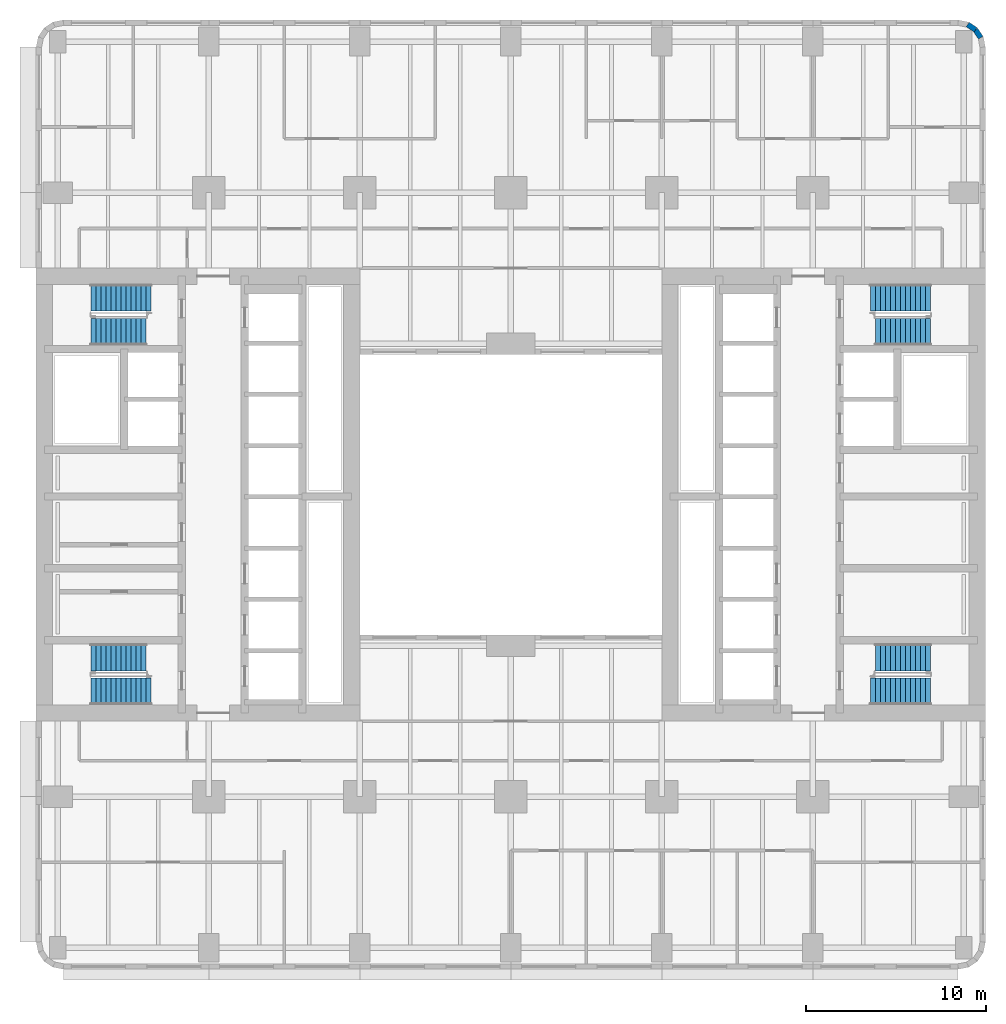
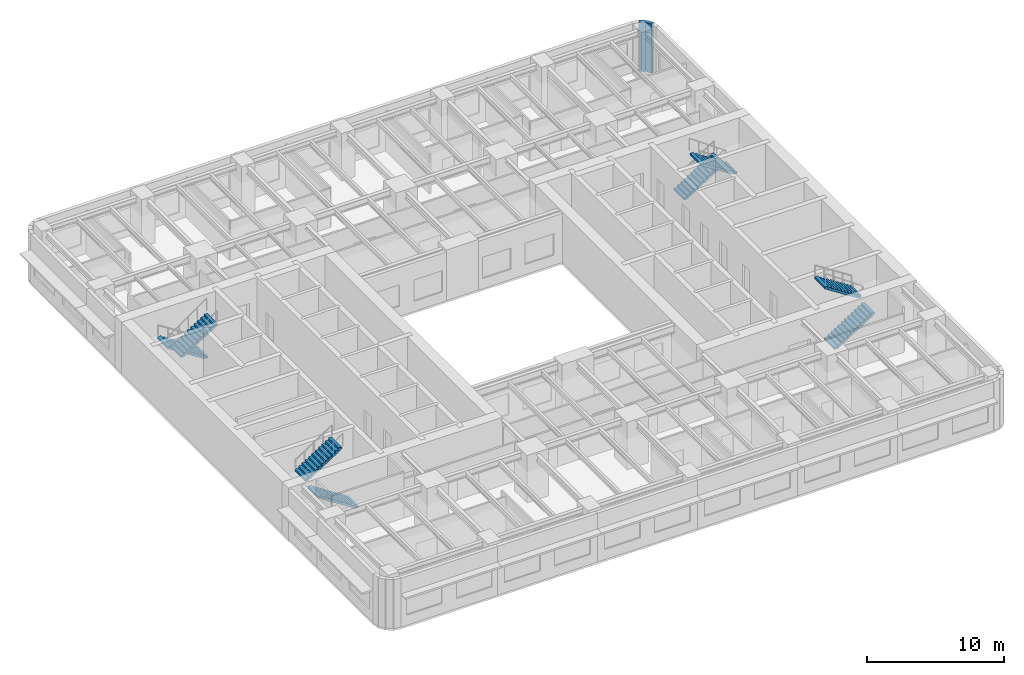
# One storey, part 8 of 14: 8 stair flights, 2 walls, 4 elements without a shape of their own.
"""IFC4 building model written with IfcOpenShell, lengths in metres."""

import ifcopenshell
import ifcopenshell.guid

model = None  # the IFC model being written
_history = None  # IfcOwnerHistory: only IFC2X3 demands one
_inside = {}  # id of a spatial element -> (the spatial element, [elements in it])
_under = {}  # id of a project, library or spatial element -> (it, [spatial elements below it])
_declared = {}  # id of a project -> (the project, [libraries it declares])
_typed = {}  # id of a type object -> (the type object, [elements of that type])
_made_of = {}  # id of a material, layer set ... -> (it, [elements and type objects made of it])


def new_model(schema):
    """Start an empty IFC model of exactly this schema.

    Asked for "IFC4X3", IfcOpenShell would pick the latest addendum, in which some entities
    have other attributes; the version numbers below select the first issue.
    IFC2X3 requires an IfcOwnerHistory on every rooted entity: one is made here for all.
    """
    global model, _history
    if schema == "IFC4X3":
        model = ifcopenshell.file(schema_version=(4, 3, 0, 0))
    else:
        model = ifcopenshell.file(schema=schema)
    _inside.clear()
    _under.clear()
    _declared.clear()
    _typed.clear()
    _made_of.clear()
    _history = None
    if model.schema == "IFC2X3":
        org = make("IfcOrganization", Name="unknown")
        user = make(
            "IfcPersonAndOrganization",
            ThePerson=make("IfcPerson", FamilyName="unknown"),
            TheOrganization=org,
        )
        app = make(
            "IfcApplication",
            ApplicationDeveloper=org,
            Version="unknown",
            ApplicationFullName="unknown",
            ApplicationIdentifier="unknown",
        )
        _history = make(
            "IfcOwnerHistory",
            OwningUser=user,
            OwningApplication=app,
            ChangeAction="ADDED",
            CreationDate=0,
        )
    return model


def make(cls, **values):
    """One entity of the class cls with the attributes given. An attribute that is None is left unset."""
    return model.create_entity(
        cls, **{name: value for name, value in values.items() if value is not None}
    )


def rooted(cls, **values):
    """An entity with a GlobalId (a new one), such as an element, a storey or a relation."""
    return make(cls, GlobalId=ifcopenshell.guid.new(), OwnerHistory=_history, **values)


def si_unit(unit_type, name, prefix=None):
    """IfcSIUnit, for example si_unit("LENGTHUNIT", "METRE", prefix="MILLI")."""
    return make("IfcSIUnit", UnitType=unit_type, Prefix=prefix, Name=name)


def assignment(units):
    """IfcUnitAssignment: the units of a project."""
    return None if units is None else make("IfcUnitAssignment", Units=units)


def point(xyz):
    """IfcCartesianPoint."""
    return None if xyz is None else make("IfcCartesianPoint", Coordinates=xyz)


def direction(xyz):
    """IfcDirection."""
    return None if xyz is None else make("IfcDirection", DirectionRatios=xyz)


def frame(location, z_axis=None, x_axis=None):
    """IfcAxis2Placement3D, a coordinate frame: its origin and axes. An axis left out is left unset."""
    return make(
        "IfcAxis2Placement3D",
        Location=point(location),
        Axis=direction(z_axis),
        RefDirection=direction(x_axis),
    )


def frame_2d(location, x_axis=None):
    """IfcAxis2Placement2D, a coordinate frame in the plane: its origin and x axis."""
    return make(
        "IfcAxis2Placement2D", Location=point(location), RefDirection=direction(x_axis)
    )


def origin():
    """The frame at (0, 0, 0) with its axes left unset."""
    return frame((0.0, 0.0, 0.0))


def place(relative_to, where):
    """IfcLocalPlacement: puts the frame where relative to a parent placement (None: the world)."""
    return make(
        "IfcLocalPlacement", PlacementRelTo=relative_to, RelativePlacement=where
    )


def context(
    kind, dimensions, precision=None, world=None, true_north=None, identifier=None
):
    """IfcGeometricRepresentationContext, for example the 3D "Model" context."""
    return make(
        "IfcGeometricRepresentationContext",
        ContextIdentifier=identifier,
        ContextType=kind,
        CoordinateSpaceDimension=dimensions,
        Precision=precision,
        WorldCoordinateSystem=world,
        TrueNorth=true_north,
    )


def subcontext(parent, identifier, kind, view, scale=None):
    """IfcGeometricRepresentationSubContext, for example "Body" below "Model"."""
    return make(
        "IfcGeometricRepresentationSubContext",
        ContextIdentifier=identifier,
        ContextType=kind,
        ParentContext=parent,
        TargetScale=scale,
        TargetView=view,
    )


def project(units=None, contexts=None):
    """IfcProject with its units and contexts."""
    return rooted(
        "IfcProject",
        Name="project",
        RepresentationContexts=contexts,
        UnitsInContext=assignment(units),
    )


def spatial(cls, under=None, at=None, **own):
    """A site, building, storey or space (cls), placed at a placement, below another one or the project."""
    s = rooted(cls, ObjectPlacement=at, **own)
    if under is not None:
        _under.setdefault(under.id(), (under, []))[1].append(s)
    return s


def polyline(points):
    """IfcPolyline through the points."""
    return make("IfcPolyline", Points=[point(p) for p in points])


def profile(cls, at=None, kind="AREA", **sizes):
    """A parametric profile (cls). Its sizes go by their IFC names, for example OverallWidth=200.0."""
    return make(cls, ProfileType=kind, Position=at, **sizes)


def rectangle(**sizes):
    """IfcRectangleProfileDef."""
    return profile("IfcRectangleProfileDef", **sizes)


def outline(outer, holes=None, kind="AREA"):
    """IfcArbitraryClosedProfileDef: a profile drawn as a closed curve; with holes, ...WithVoids."""
    if holes is None:
        return make("IfcArbitraryClosedProfileDef", ProfileType=kind, OuterCurve=outer)
    return make(
        "IfcArbitraryProfileDefWithVoids",
        ProfileType=kind,
        OuterCurve=outer,
        InnerCurves=holes,
    )


def extrude(swept, where, along, depth):
    """IfcExtrudedAreaSolid: the profile swept, set in the frame where, extruded along a direction by depth."""
    return make(
        "IfcExtrudedAreaSolid",
        SweptArea=swept,
        Position=where,
        ExtrudedDirection=direction(along),
        Depth=depth,
    )


def shape(context_of_items, identifier, shape_type, items):
    """IfcShapeRepresentation: the items that make up one representation, for example the "Body"."""
    return make(
        "IfcShapeRepresentation",
        ContextOfItems=context_of_items,
        RepresentationIdentifier=identifier,
        RepresentationType=shape_type,
        Items=items,
    )


def material(Name=None, Category=None):
    """IfcMaterial."""
    return make("IfcMaterial", Name=Name, Category=Category)


def layer(
    of_material, thickness, ventilated=None, Name=None, Category=None, Priority=None
):
    """IfcMaterialLayer: one layer of a wall or slab, of a material (None: an air gap)."""
    return make(
        "IfcMaterialLayer",
        Material=of_material,
        LayerThickness=thickness,
        IsVentilated=ventilated,
        Name=Name,
        Category=Category,
        Priority=Priority,
    )


def layer_set(layers, Name=None):
    """IfcMaterialLayerSet."""
    return make("IfcMaterialLayerSet", MaterialLayers=layers, LayerSetName=Name)


def made_of(thing, what):
    """Note that an element or type object is made of a material, layer set ...; save() writes the relation."""
    if what is not None:
        _made_of.setdefault(what.id(), (what, []))[1].append(thing)
    return thing


def type_object(cls, material=None, **own):
    """A type object (cls), such as IfcWallType, which elements share."""
    return made_of(rooted(cls, **own), material)


def element(
    cls,
    number,
    at=None,
    inside=None,
    cuts=None,
    type_object=None,
    material=None,
    context=None,
    identifier="Body",
    shape_type=None,
    held_by="IfcProductDefinitionShape",
    body=None,
    shapes=None,
    **own,
):
    """One element of the class cls, such as IfcWall. Its Tag is "e" and its number.

    at: its placement. inside: the storey or other place that contains it. cuts: it is an
    opening in that element (IfcRelVoidsElement). A single representation is given by context,
    identifier, shape_type and body (its items); several are given by shapes. held_by: the class
    of the entity that holds the representations. save() writes the other relations.
    """
    e = rooted(cls, Tag="e%d" % number, ObjectPlacement=at, **own)
    if body is not None:
        shapes = [shape(context, identifier, shape_type, body)]
    if shapes is not None:
        e.Representation = make(held_by, Representations=shapes)
    if inside is not None:
        _inside.setdefault(inside.id(), (inside, []))[1].append(e)
    if cuts is not None:
        rooted(
            "IfcRelVoidsElement", RelatingBuildingElement=cuts, RelatedOpeningElement=e
        )
    if type_object is not None:
        _typed.setdefault(type_object.id(), (type_object, []))[1].append(e)
    return made_of(e, material)


def aggregate(whole, parts):
    """IfcRelAggregates: a whole, such as a stair, and the parts it consists of."""
    return rooted("IfcRelAggregates", RelatingObject=whole, RelatedObjects=parts)


def save(model, path):
    """Write the relations noted so far, then the file.

    IfcRelAggregates (storeys below a building ...), IfcRelContainedInSpatialStructure (elements
    in a storey), IfcRelDefinesByType, IfcRelAssociatesMaterial and IfcRelDeclares: one each for
    every whole, place, type object, material and project.
    """
    for whole, parts in _under.values():
        aggregate(whole, parts)
    for where, things in _inside.values():
        rooted(
            "IfcRelContainedInSpatialStructure",
            RelatedElements=things,
            RelatingStructure=where,
        )
    for kind, things in _typed.values():
        rooted("IfcRelDefinesByType", RelatedObjects=things, RelatingType=kind)
    for what, things in _made_of.values():
        rooted("IfcRelAssociatesMaterial", RelatedObjects=things, RelatingMaterial=what)
    for by, libraries in _declared.values():
        rooted("IfcRelDeclares", RelatingContext=by, RelatedDefinitions=libraries)
    model.write(path)


model = new_model("IFC4")

# Units and contexts
model_context = context("Model", 3, precision=1e-05, world=origin(), true_north=direction((0.0, 1.0)))
body_context = subcontext(model_context, "Body", "Model", "MODEL_VIEW")
ifc_project = project(units=[si_unit("LENGTHUNIT", "METRE"), si_unit("AREAUNIT", "SQUARE_METRE"), si_unit("VOLUMEUNIT", "CUBIC_METRE"), si_unit("PLANEANGLEUNIT", "RADIAN"), si_unit("MASSUNIT", "GRAM", prefix="KILO")], contexts=[model_context])

# Site, building, storey
site_placement = place(None, origin())
site = spatial("IfcSite", under=ifc_project, at=site_placement, CompositionType="ELEMENT")
building_placement = place(site_placement, origin())
building = spatial("IfcBuilding", under=site, at=building_placement, Name="Claustro Exchange Tower", CompositionType="ELEMENT")
storey_placement = place(building_placement, frame((0.0, 0.0, 32.39990234375)))
storey = spatial("IfcBuildingStorey", under=building, at=storey_placement, Name="L07", CompositionType="ELEMENT", Elevation=32.39990234375)

# Walls
ifc_material_1 = material(Name="Concrete HA-40 (C40/50), precast, white cement, acid-etched", Category="concrete")
ifc_layer = layer(ifc_material_1, 0.300048828125)
ifc_layer_set = layer_set([ifc_layer], Name="Concrete HA-40 (C40/50), precast, white cement, acid-etched")
wall_type = type_object("IfcWallType", Name="PC1 300 precast concrete pier panel", PredefinedType="SOLIDWALL", material=ifc_layer_set)
for number, where, z_axis, x_axis, name in (
    (1, (50.615478515625, 51.344482421875, 0.0), (0.0, 0.0, 1.0), (0.831478144188, -0.555557463938, 0.0), "Precast pier panel PC1 L07"),
    (2, (51.052490234375, 51.052490234375, 0.0), (0.0, 0.0, 1.0), (0.555557463938, -0.831478144188, 0.0), "Precast pier panel PC1 L07"),
):
    element("IfcWall", number, at=place(storey_placement, frame(where, z_axis=z_axis, x_axis=x_axis)), inside=storey, type_object=wall_type, Name=name, PredefinedType="SOLIDWALL", context=body_context, shape_type="SweptSolid", body=[
        extrude(rectangle(XDim=0.525634765625, YDim=0.300048828125, at=frame_2d((0.2626953125, 0.0))), origin(), (0.0, 0.0, 1.0), 4.340087890625),
    ])

# Stair, stair flight
ifc_material_2 = material(Name="Concrete HA-30 (C30/37), precast", Category="concrete")
stair_type = type_object("IfcStairType", Name="ST2 half-turn stair, 25 risers of 180", PredefinedType="HALF_TURN_STAIR", material=ifc_material_2)
stair_1_placement = place(storey_placement, origin())
stair_1 = element("IfcStair", 3, at=stair_1_placement, inside=storey, type_object=stair_type, Name="Stair STWA L07", PredefinedType="HALF_TURN_STAIR")
ifc_material_3 = material(Name="Concrete HA-30 (C30/37), precast", Category="concrete")
stair_flight_type_1 = type_object("IfcStairFlightType", Name="SF12B straight flight, 12 risers of 180, 1500 wide", PredefinedType="STRAIGHT", material=ifc_material_3)
stair_flight_1_placement = place(storey_placement, frame((1.840087890625, 16.14990234375, 2.340087890625), z_axis=(0.0, 0.0, 1.0), x_axis=(1.0, 0.0, 0.0)))
stair_flight_1 = element("IfcStairFlight", 4, at=stair_flight_1_placement, type_object=stair_flight_type_1, Name="STWA flight 2", NumberOfRisers=12, NumberOfTreads=11, PredefinedType="STRAIGHT", RiserHeight=0.18, TreadLength=0.28, context=body_context, shape_type="SweptSolid", body=[
    extrude(outline(polyline([(0.0, 0.0), (0.0, 0.179931640625), (0.280029296875, 0.179931640625), (0.280029296875, 0.360107421875), (0.56005859375, 0.360107421875), (0.56005859375, 0.5400390625), (0.840087890625, 0.5400390625), (0.840087890625, 0.719970703125), (1.1201171875, 0.719970703125), (1.1201171875, 0.89990234375), (1.39990234375, 0.89990234375), (1.39990234375, 1.080078125), (1.679931640625, 1.080078125), (1.679931640625, 1.260009765625), (1.9599609375, 1.260009765625), (1.9599609375, 1.43994140625), (2.239990234375, 1.43994140625), (2.239990234375, 1.6201171875), (2.52001953125, 1.6201171875), (2.52001953125, 1.800048828125), (2.800048828125, 1.800048828125), (2.800048828125, 1.97998046875), (3.080078125, 1.97998046875), (3.080078125, 2.159912109375), (3.080078125, 1.8017578125), (0.277099609375, 0.0), (0.0, 0.0)])), frame((0.0, 0.75, 0.0), z_axis=(0.0, -1.0, 0.0), x_axis=(1.0, 0.0, 0.0)), (0.0, 0.0, 1.0), 1.5),
])

stair_2_placement = place(storey_placement, origin())
stair_2 = element("IfcStair", 5, at=stair_2_placement, inside=storey, type_object=stair_type, Name="Stair STWB L07", PredefinedType="HALF_TURN_STAIR")
stair_flight_2_placement = place(storey_placement, frame((1.840087890625, 34.25, 2.340087890625), z_axis=(0.0, 0.0, 1.0), x_axis=(1.0, 0.0, 0.0)))
stair_flight_2 = element("IfcStairFlight", 6, at=stair_flight_2_placement, type_object=stair_flight_type_1, Name="STWB flight 2", NumberOfRisers=12, NumberOfTreads=11, PredefinedType="STRAIGHT", RiserHeight=0.18, TreadLength=0.28, context=body_context, shape_type="SweptSolid", body=[
    extrude(outline(polyline([(0.0, 0.0), (0.0, 0.179931640625), (0.280029296875, 0.179931640625), (0.280029296875, 0.360107421875), (0.56005859375, 0.360107421875), (0.56005859375, 0.5400390625), (0.840087890625, 0.5400390625), (0.840087890625, 0.719970703125), (1.1201171875, 0.719970703125), (1.1201171875, 0.89990234375), (1.39990234375, 0.89990234375), (1.39990234375, 1.080078125), (1.679931640625, 1.080078125), (1.679931640625, 1.260009765625), (1.9599609375, 1.260009765625), (1.9599609375, 1.43994140625), (2.239990234375, 1.43994140625), (2.239990234375, 1.6201171875), (2.52001953125, 1.6201171875), (2.52001953125, 1.800048828125), (2.800048828125, 1.800048828125), (2.800048828125, 1.97998046875), (3.080078125, 1.97998046875), (3.080078125, 2.159912109375), (3.080078125, 1.8017578125), (0.277099609375, 0.0), (0.0, 0.0)])), frame((0.0, 0.75, 0.0), z_axis=(0.0, -1.0, 0.0), x_axis=(1.0, 0.0, 0.0)), (0.0, 0.0, 1.0), 1.5),
])

stair_3_placement = place(storey_placement, origin())
stair_3 = element("IfcStair", 7, at=stair_3_placement, inside=storey, type_object=stair_type, Name="Stair STEA L07", PredefinedType="HALF_TURN_STAIR")
stair_flight_3_placement = place(storey_placement, frame((48.56005859375, 16.14990234375, 2.340087890625), z_axis=(0.0, 0.0, 1.0), x_axis=(-1.0, 0.0, 0.0)))
stair_flight_3 = element("IfcStairFlight", 8, at=stair_flight_3_placement, type_object=stair_flight_type_1, Name="STEA flight 2", NumberOfRisers=12, NumberOfTreads=11, PredefinedType="STRAIGHT", RiserHeight=0.18, TreadLength=0.28, context=body_context, shape_type="SweptSolid", body=[
    extrude(outline(polyline([(0.0, 0.0), (0.0, 0.179931640625), (0.280029296875, 0.179931640625), (0.280029296875, 0.360107421875), (0.56005859375, 0.360107421875), (0.56005859375, 0.5400390625), (0.840087890625, 0.5400390625), (0.840087890625, 0.719970703125), (1.1201171875, 0.719970703125), (1.1201171875, 0.89990234375), (1.39990234375, 0.89990234375), (1.39990234375, 1.080078125), (1.679931640625, 1.080078125), (1.679931640625, 1.260009765625), (1.9599609375, 1.260009765625), (1.9599609375, 1.43994140625), (2.239990234375, 1.43994140625), (2.239990234375, 1.6201171875), (2.52001953125, 1.6201171875), (2.52001953125, 1.800048828125), (2.800048828125, 1.800048828125), (2.800048828125, 1.97998046875), (3.080078125, 1.97998046875), (3.080078125, 2.159912109375), (3.080078125, 1.8017578125), (0.277099609375, 0.0), (0.0, 0.0)])), frame((0.0, 0.75, 0.0), z_axis=(0.0, -1.0, 0.0), x_axis=(1.0, 0.0, 0.0)), (0.0, 0.0, 1.0), 1.5),
])

stair_4_placement = place(storey_placement, origin())
stair_4 = element("IfcStair", 9, at=stair_4_placement, inside=storey, type_object=stair_type, Name="Stair STEB L07", PredefinedType="HALF_TURN_STAIR")
stair_flight_4_placement = place(storey_placement, frame((48.56005859375, 34.25, 2.340087890625), z_axis=(0.0, 0.0, 1.0), x_axis=(-1.0, 0.0, 0.0)))
stair_flight_4 = element("IfcStairFlight", 10, at=stair_flight_4_placement, type_object=stair_flight_type_1, Name="STEB flight 2", NumberOfRisers=12, NumberOfTreads=11, PredefinedType="STRAIGHT", RiserHeight=0.18, TreadLength=0.28, context=body_context, shape_type="SweptSolid", body=[
    extrude(outline(polyline([(0.0, 0.0), (0.0, 0.179931640625), (0.280029296875, 0.179931640625), (0.280029296875, 0.360107421875), (0.56005859375, 0.360107421875), (0.56005859375, 0.5400390625), (0.840087890625, 0.5400390625), (0.840087890625, 0.719970703125), (1.1201171875, 0.719970703125), (1.1201171875, 0.89990234375), (1.39990234375, 0.89990234375), (1.39990234375, 1.080078125), (1.679931640625, 1.080078125), (1.679931640625, 1.260009765625), (1.9599609375, 1.260009765625), (1.9599609375, 1.43994140625), (2.239990234375, 1.43994140625), (2.239990234375, 1.6201171875), (2.52001953125, 1.6201171875), (2.52001953125, 1.800048828125), (2.800048828125, 1.800048828125), (2.800048828125, 1.97998046875), (3.080078125, 1.97998046875), (3.080078125, 2.159912109375), (3.080078125, 1.8017578125), (0.277099609375, 0.0), (0.0, 0.0)])), frame((0.0, 0.75, 0.0), z_axis=(0.0, -1.0, 0.0), x_axis=(1.0, 0.0, 0.0)), (0.0, 0.0, 1.0), 1.5),
])

# Stair flight
ifc_material_4 = material(Name="Concrete HA-30 (C30/37), precast", Category="concrete")
stair_flight_type_2 = type_object("IfcStairFlightType", Name="SF13 straight flight, 13 risers of 180, 1500 wide", PredefinedType="STRAIGHT", material=ifc_material_4)
stair_flight_5_placement = place(storey_placement, frame((5.199951171875, 14.25, 0.0), z_axis=(0.0, 0.0, 1.0), x_axis=(-1.0, 0.0, 0.0)))
stair_flight_5 = element("IfcStairFlight", 11, at=stair_flight_5_placement, type_object=stair_flight_type_2, Name="STWA flight 1", NumberOfRisers=13, NumberOfTreads=12, PredefinedType="STRAIGHT", RiserHeight=0.18, TreadLength=0.28, context=body_context, shape_type="SweptSolid", body=[
    extrude(outline(polyline([(0.0, 0.0), (0.0, 0.179931640625), (0.280029296875, 0.179931640625), (0.280029296875, 0.360107421875), (0.56005859375, 0.360107421875), (0.56005859375, 0.5400390625), (0.840087890625, 0.5400390625), (0.840087890625, 0.719970703125), (1.1201171875, 0.719970703125), (1.1201171875, 0.89990234375), (1.39990234375, 0.89990234375), (1.39990234375, 1.080078125), (1.679931640625, 1.080078125), (1.679931640625, 1.260009765625), (1.9599609375, 1.260009765625), (1.9599609375, 1.43994140625), (2.239990234375, 1.43994140625), (2.239990234375, 1.6201171875), (2.52001953125, 1.6201171875), (2.52001953125, 1.800048828125), (2.800048828125, 1.800048828125), (2.800048828125, 1.97998046875), (3.080078125, 1.97998046875), (3.080078125, 2.159912109375), (3.360107421875, 2.159912109375), (3.360107421875, 2.340087890625), (3.360107421875, 1.981689453125), (0.277099609375, 0.0), (0.0, 0.0)])), frame((0.0, 0.75, 0.0), z_axis=(0.0, -1.0, 0.0), x_axis=(1.0, 0.0, 0.0)), (0.0, 0.0, 1.0), 1.5),
])

aggregate(stair_1, [stair_flight_5, stair_flight_1])

stair_flight_6_placement = place(storey_placement, frame((5.199951171875, 36.14990234375, 0.0), z_axis=(0.0, 0.0, 1.0), x_axis=(-1.0, 0.0, 0.0)))
stair_flight_6 = element("IfcStairFlight", 12, at=stair_flight_6_placement, type_object=stair_flight_type_2, Name="STWB flight 1", NumberOfRisers=13, NumberOfTreads=12, PredefinedType="STRAIGHT", RiserHeight=0.18, TreadLength=0.28, context=body_context, shape_type="SweptSolid", body=[
    extrude(outline(polyline([(0.0, 0.0), (0.0, 0.179931640625), (0.280029296875, 0.179931640625), (0.280029296875, 0.360107421875), (0.56005859375, 0.360107421875), (0.56005859375, 0.5400390625), (0.840087890625, 0.5400390625), (0.840087890625, 0.719970703125), (1.1201171875, 0.719970703125), (1.1201171875, 0.89990234375), (1.39990234375, 0.89990234375), (1.39990234375, 1.080078125), (1.679931640625, 1.080078125), (1.679931640625, 1.260009765625), (1.9599609375, 1.260009765625), (1.9599609375, 1.43994140625), (2.239990234375, 1.43994140625), (2.239990234375, 1.6201171875), (2.52001953125, 1.6201171875), (2.52001953125, 1.800048828125), (2.800048828125, 1.800048828125), (2.800048828125, 1.97998046875), (3.080078125, 1.97998046875), (3.080078125, 2.159912109375), (3.360107421875, 2.159912109375), (3.360107421875, 2.340087890625), (3.360107421875, 1.981689453125), (0.277099609375, 0.0), (0.0, 0.0)])), frame((0.0, 0.75, 0.0), z_axis=(0.0, -1.0, 0.0), x_axis=(1.0, 0.0, 0.0)), (0.0, 0.0, 1.0), 1.5),
])

aggregate(stair_2, [stair_flight_6, stair_flight_2])

stair_flight_7_placement = place(storey_placement, frame((45.199951171875, 14.25, 0.0), z_axis=(0.0, 0.0, 1.0), x_axis=(1.0, 0.0, 0.0)))
stair_flight_7 = element("IfcStairFlight", 13, at=stair_flight_7_placement, type_object=stair_flight_type_2, Name="STEA flight 1", NumberOfRisers=13, NumberOfTreads=12, PredefinedType="STRAIGHT", RiserHeight=0.18, TreadLength=0.28, context=body_context, shape_type="SweptSolid", body=[
    extrude(outline(polyline([(0.0, 0.0), (0.0, 0.179931640625), (0.280029296875, 0.179931640625), (0.280029296875, 0.360107421875), (0.56005859375, 0.360107421875), (0.56005859375, 0.5400390625), (0.840087890625, 0.5400390625), (0.840087890625, 0.719970703125), (1.1201171875, 0.719970703125), (1.1201171875, 0.89990234375), (1.39990234375, 0.89990234375), (1.39990234375, 1.080078125), (1.679931640625, 1.080078125), (1.679931640625, 1.260009765625), (1.9599609375, 1.260009765625), (1.9599609375, 1.43994140625), (2.239990234375, 1.43994140625), (2.239990234375, 1.6201171875), (2.52001953125, 1.6201171875), (2.52001953125, 1.800048828125), (2.800048828125, 1.800048828125), (2.800048828125, 1.97998046875), (3.080078125, 1.97998046875), (3.080078125, 2.159912109375), (3.360107421875, 2.159912109375), (3.360107421875, 2.340087890625), (3.360107421875, 1.981689453125), (0.277099609375, 0.0), (0.0, 0.0)])), frame((0.0, 0.75, 0.0), z_axis=(0.0, -1.0, 0.0), x_axis=(1.0, 0.0, 0.0)), (0.0, 0.0, 1.0), 1.5),
])

aggregate(stair_3, [stair_flight_7, stair_flight_3])

stair_flight_8_placement = place(storey_placement, frame((45.199951171875, 36.14990234375, 0.0), z_axis=(0.0, 0.0, 1.0), x_axis=(1.0, 0.0, 0.0)))
stair_flight_8 = element("IfcStairFlight", 14, at=stair_flight_8_placement, type_object=stair_flight_type_2, Name="STEB flight 1", NumberOfRisers=13, NumberOfTreads=12, PredefinedType="STRAIGHT", RiserHeight=0.18, TreadLength=0.28, context=body_context, shape_type="SweptSolid", body=[
    extrude(outline(polyline([(0.0, 0.0), (0.0, 0.179931640625), (0.280029296875, 0.179931640625), (0.280029296875, 0.360107421875), (0.56005859375, 0.360107421875), (0.56005859375, 0.5400390625), (0.840087890625, 0.5400390625), (0.840087890625, 0.719970703125), (1.1201171875, 0.719970703125), (1.1201171875, 0.89990234375), (1.39990234375, 0.89990234375), (1.39990234375, 1.080078125), (1.679931640625, 1.080078125), (1.679931640625, 1.260009765625), (1.9599609375, 1.260009765625), (1.9599609375, 1.43994140625), (2.239990234375, 1.43994140625), (2.239990234375, 1.6201171875), (2.52001953125, 1.6201171875), (2.52001953125, 1.800048828125), (2.800048828125, 1.800048828125), (2.800048828125, 1.97998046875), (3.080078125, 1.97998046875), (3.080078125, 2.159912109375), (3.360107421875, 2.159912109375), (3.360107421875, 2.340087890625), (3.360107421875, 1.981689453125), (0.277099609375, 0.0), (0.0, 0.0)])), frame((0.0, 0.75, 0.0), z_axis=(0.0, -1.0, 0.0), x_axis=(1.0, 0.0, 0.0)), (0.0, 0.0, 1.0), 1.5),
])

aggregate(stair_4, [stair_flight_8, stair_flight_4])

save(model, "model.ifc")
